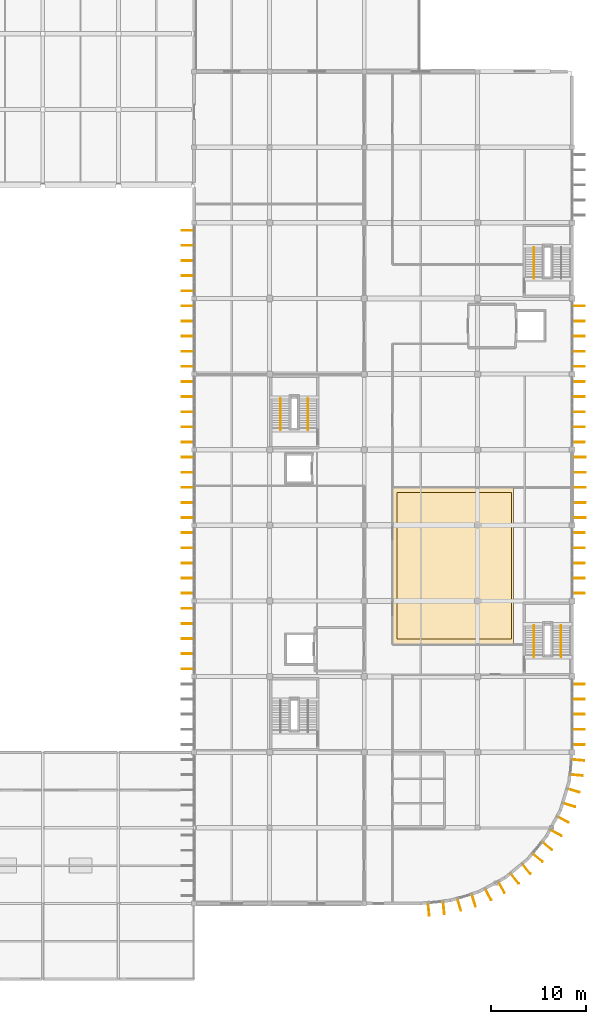
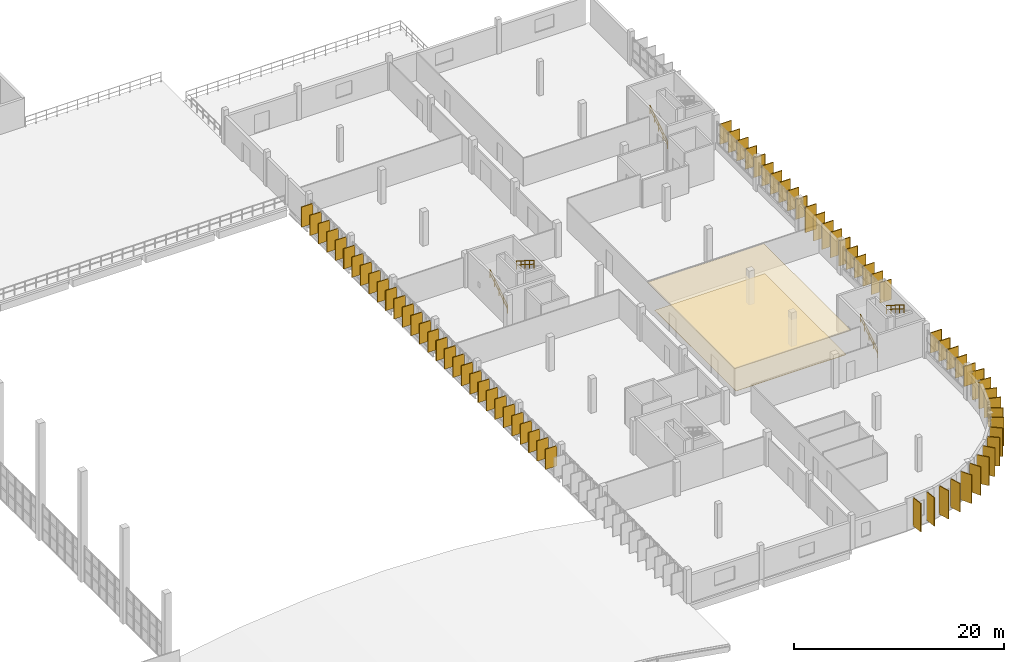
# One storey, part 65 of 66: 73 coverings, 71 shading devices, 5 railings.
"""IFC4 building model written with IfcOpenShell, lengths in metres."""

from ifc_helpers import new_model, si_unit, direction, frame, origin, origin_2d, place, context, subcontext, project, spatial, polyline, rectangle, circle, outline, extrude, material, layer, layer_set, type_object, element, save


model = new_model("IFC4")

# Units and contexts
model_context = context("Model", 3, precision=1e-05, world=origin(), true_north=direction((0.0, 1.0)))
body_context = subcontext(model_context, "Body", "Model", "MODEL_VIEW")
ifc_project = project(units=[si_unit("LENGTHUNIT", "METRE"), si_unit("AREAUNIT", "SQUARE_METRE"), si_unit("VOLUMEUNIT", "CUBIC_METRE"), si_unit("PLANEANGLEUNIT", "RADIAN"), si_unit("MASSUNIT", "GRAM", prefix="KILO")], contexts=[model_context])

# Site, building, storey
site_placement = place(None, origin())
site = spatial("IfcSite", under=ifc_project, at=site_placement, CompositionType="ELEMENT")
building_placement = place(site_placement, origin())
building = spatial("IfcBuilding", under=site, at=building_placement, Name="Drelvana Railside Aquatics Centre", CompositionType="ELEMENT")
storey_placement = place(building_placement, frame((0.0, 0.0, 10.199951171875)))
storey = spatial("IfcBuildingStorey", under=building, at=storey_placement, Name="L02", CompositionType="ELEMENT", Elevation=10.199951171875)

# Coverings
ifc_material_1 = material(Name="Moisture-resistant perforated acoustic timber ceiling", Category="wood")
ifc_layer_1 = layer(ifc_material_1, 0.034912109375, Name="Moisture-resistant perforated acoustic timber ceiling")
ifc_layer_set_1 = layer_set([ifc_layer_1], Name="Moisture-resistant perforated acoustic timber ceiling")
covering_type_1 = type_object("IfcCoveringType", Name="COV-CEIL-ACOUSTIC", PredefinedType="CEILING", material=ifc_layer_set_1)
covering_1_placement = place(storey_placement, frame((0.0, 0.0, 3.10009765625)))
element("IfcCovering", 1, at=covering_1_placement, inside=storey, type_object=covering_type_1, Name="Thermal Wellness Spa cedar acoustic ceiling", PredefinedType="CEILING", context=body_context, shape_type="SweptSolid", body=[
    extrude(outline(polyline([(165.0, 35.39990234375), (177.800048828125, 35.39990234375), (177.800048828125, 52.0), (165.0, 52.0), (165.0, 35.39990234375)])), origin(), (0.0, 0.0, 1.0), 0.034912109375),
])
ifc_material_2 = material(Name="Bronze-anodised extruded aluminium 6063-T6", Category="aluminium")
covering_type_2 = type_object("IfcCoveringType", Name="COV-FIN-ALU", PredefinedType="CLADDING", material=ifc_material_2)
for number, where, z_axis, x_axis, name in (
    (2, (143.330078125, 32.800048828125, 0.85009765625), (0.0, 0.0, 1.0), (0.0, 1.0, 0.0), "Vertical aluminium fin cladding CF-0571"),
    (3, (143.330078125, 34.39990234375, 0.85009765625), (0.0, 0.0, 1.0), (0.0, 1.0, 0.0), "Vertical aluminium fin cladding CF-0572"),
    (4, (143.330078125, 36.0, 0.85009765625), (0.0, 0.0, 1.0), (0.0, 1.0, 0.0), "Vertical aluminium fin cladding CF-0573"),
    (5, (143.330078125, 37.60009765625, 0.85009765625), (0.0, 0.0, 1.0), (0.0, 1.0, 0.0), "Vertical aluminium fin cladding CF-0574"),
    (6, (143.330078125, 39.199951171875, 0.85009765625), (0.0, 0.0, 1.0), (0.0, 1.0, 0.0), "Vertical aluminium fin cladding CF-0575"),
    (7, (143.330078125, 40.800048828125, 0.85009765625), (0.0, 0.0, 1.0), (0.0, 1.0, 0.0), "Vertical aluminium fin cladding CF-0591"),
    (8, (143.330078125, 42.39990234375, 0.85009765625), (0.0, 0.0, 1.0), (0.0, 1.0, 0.0), "Vertical aluminium fin cladding CF-0592"),
    (9, (143.330078125, 44.0, 0.85009765625), (0.0, 0.0, 1.0), (0.0, 1.0, 0.0), "Vertical aluminium fin cladding CF-0593"),
    (10, (143.330078125, 45.60009765625, 0.85009765625), (0.0, 0.0, 1.0), (0.0, 1.0, 0.0), "Vertical aluminium fin cladding CF-0594"),
    (11, (143.330078125, 47.199951171875, 0.85009765625), (0.0, 0.0, 1.0), (0.0, 1.0, 0.0), "Vertical aluminium fin cladding CF-0595"),
    (12, (143.330078125, 48.800048828125, 0.85009765625), (0.0, 0.0, 1.0), (0.0, 1.0, 0.0), "Vertical aluminium fin cladding CF-0611"),
    (13, (143.330078125, 50.39990234375, 0.85009765625), (0.0, 0.0, 1.0), (0.0, 1.0, 0.0), "Vertical aluminium fin cladding CF-0612"),
    (14, (143.330078125, 52.0, 0.85009765625), (0.0, 0.0, 1.0), (0.0, 1.0, 0.0), "Vertical aluminium fin cladding CF-0613"),
    (15, (143.330078125, 53.60009765625, 0.85009765625), (0.0, 0.0, 1.0), (0.0, 1.0, 0.0), "Vertical aluminium fin cladding CF-0614"),
    (16, (143.330078125, 55.199951171875, 0.85009765625), (0.0, 0.0, 1.0), (0.0, 1.0, 0.0), "Vertical aluminium fin cladding CF-0615"),
    (17, (143.330078125, 56.800048828125, 0.85009765625), (0.0, 0.0, 1.0), (0.0, 1.0, 0.0), "Vertical aluminium fin cladding CF-0626"),
    (18, (143.330078125, 58.39990234375, 0.85009765625), (0.0, 0.0, 1.0), (0.0, 1.0, 0.0), "Vertical aluminium fin cladding CF-0627"),
    (19, (143.330078125, 60.0, 0.85009765625), (0.0, 0.0, 1.0), (0.0, 1.0, 0.0), "Vertical aluminium fin cladding CF-0628"),
    (20, (143.330078125, 61.60009765625, 0.85009765625), (0.0, 0.0, 1.0), (0.0, 1.0, 0.0), "Vertical aluminium fin cladding CF-0629"),
    (21, (143.330078125, 63.199951171875, 0.85009765625), (0.0, 0.0, 1.0), (0.0, 1.0, 0.0), "Vertical aluminium fin cladding CF-0630"),
    (22, (143.330078125, 64.800048828125, 0.85009765625), (0.0, 0.0, 1.0), (0.0, 1.0, 0.0), "Vertical aluminium fin cladding CF-0646"),
    (23, (143.330078125, 66.39990234375, 0.85009765625), (0.0, 0.0, 1.0), (0.0, 1.0, 0.0), "Vertical aluminium fin cladding CF-0647"),
    (24, (143.330078125, 68.0, 0.85009765625), (0.0, 0.0, 1.0), (0.0, 1.0, 0.0), "Vertical aluminium fin cladding CF-0648"),
    (25, (143.330078125, 69.60009765625, 0.85009765625), (0.0, 0.0, 1.0), (0.0, 1.0, 0.0), "Vertical aluminium fin cladding CF-0649"),
    (26, (143.330078125, 71.199951171875, 0.85009765625), (0.0, 0.0, 1.0), (0.0, 1.0, 0.0), "Vertical aluminium fin cladding CF-0650"),
    (27, (143.330078125, 72.800048828125, 0.85009765625), (0.0, 0.0, 1.0), (0.0, 1.0, 0.0), "Vertical aluminium fin cladding CF-0666"),
    (28, (143.330078125, 74.39990234375, 0.85009765625), (0.0, 0.0, 1.0), (0.0, 1.0, 0.0), "Vertical aluminium fin cladding CF-0667"),
    (29, (143.330078125, 76.0, 0.85009765625), (0.0, 0.0, 1.0), (0.0, 1.0, 0.0), "Vertical aluminium fin cladding CF-0668"),
    (30, (143.330078125, 77.60009765625, 0.85009765625), (0.0, 0.0, 1.0), (0.0, 1.0, 0.0), "Vertical aluminium fin cladding CF-0669"),
    (31, (143.330078125, 79.199951171875, 0.85009765625), (0.0, 0.0, 1.0), (0.0, 1.0, 0.0), "Vertical aluminium fin cladding CF-0670"),
    (32, (184.669921875, 24.800048828125, 0.85009765625), (0.0, 0.0, 1.0), (0.0, -1.0, 0.0), "Vertical aluminium fin cladding CF-0686"),
    (33, (184.669921875, 26.39990234375, 0.85009765625), (0.0, 0.0, 1.0), (0.0, -1.0, 0.0), "Vertical aluminium fin cladding CF-0687"),
    (34, (184.669921875, 28.0, 0.85009765625), (0.0, 0.0, 1.0), (0.0, -1.0, 0.0), "Vertical aluminium fin cladding CF-0688"),
    (35, (184.669921875, 29.60009765625, 0.85009765625), (0.0, 0.0, 1.0), (0.0, -1.0, 0.0), "Vertical aluminium fin cladding CF-0689"),
    (36, (184.669921875, 31.199951171875, 0.85009765625), (0.0, 0.0, 1.0), (0.0, -1.0, 0.0), "Vertical aluminium fin cladding CF-0690"),
    (37, (184.669921875, 40.800048828125, 0.85009765625), (0.0, 0.0, 1.0), (0.0, -1.0, 0.0), "Vertical aluminium fin cladding CF-0711"),
    (38, (184.669921875, 42.39990234375, 0.85009765625), (0.0, 0.0, 1.0), (0.0, -1.0, 0.0), "Vertical aluminium fin cladding CF-0712"),
    (39, (184.669921875, 44.0, 0.85009765625), (0.0, 0.0, 1.0), (0.0, -1.0, 0.0), "Vertical aluminium fin cladding CF-0713"),
    (40, (184.669921875, 45.60009765625, 0.85009765625), (0.0, 0.0, 1.0), (0.0, -1.0, 0.0), "Vertical aluminium fin cladding CF-0714"),
    (41, (184.669921875, 47.199951171875, 0.85009765625), (0.0, 0.0, 1.0), (0.0, -1.0, 0.0), "Vertical aluminium fin cladding CF-0715"),
):
    element("IfcCovering", number, at=place(storey_placement, frame(where, z_axis=z_axis, x_axis=x_axis)), inside=storey, type_object=covering_type_2, Name=name, PredefinedType="CLADDING", context=body_context, shape_type="SweptSolid", body=[
        extrude(rectangle(XDim=0.0849609375, YDim=1.25, at=origin_2d()), origin(), (0.0, 0.0, 1.0), 2.35009765625),
    ])
for number, where, z_axis, x_axis, name in (
    (42, (184.77490234375, 48.800048828125, 0.25), (0.0, 0.0, 1.0), (0.0, -1.0, 0.0), "Vertical aluminium fin cladding CF-0736"),
    (43, (184.77490234375, 50.39990234375, 0.25), (0.0, 0.0, 1.0), (0.0, -1.0, 0.0), "Vertical aluminium fin cladding CF-0737"),
    (44, (184.77490234375, 52.0, 0.25), (0.0, 0.0, 1.0), (0.0, -1.0, 0.0), "Vertical aluminium fin cladding CF-0738"),
    (45, (184.77490234375, 53.60009765625, 0.25), (0.0, 0.0, 1.0), (0.0, -1.0, 0.0), "Vertical aluminium fin cladding CF-0739"),
    (46, (184.77490234375, 55.199951171875, 0.25), (0.0, 0.0, 1.0), (0.0, -1.0, 0.0), "Vertical aluminium fin cladding CF-0740"),
):
    element("IfcCovering", number, at=place(storey_placement, frame(where, z_axis=z_axis, x_axis=x_axis)), inside=storey, type_object=covering_type_2, Name=name, PredefinedType="CLADDING", context=body_context, shape_type="SweptSolid", body=[
        extrude(rectangle(XDim=0.0849609375, YDim=1.25, at=origin_2d()), origin(), (0.0, 0.0, 1.0), 2.949951171875),
    ])
for number, where, z_axis, x_axis, name in (
    (47, (184.669921875, 56.800048828125, 0.85009765625), (0.0, 0.0, 1.0), (0.0, -1.0, 0.0), "Vertical aluminium fin cladding CF-0761"),
    (48, (184.669921875, 58.39990234375, 0.85009765625), (0.0, 0.0, 1.0), (0.0, -1.0, 0.0), "Vertical aluminium fin cladding CF-0762"),
    (49, (184.669921875, 60.0, 0.85009765625), (0.0, 0.0, 1.0), (0.0, -1.0, 0.0), "Vertical aluminium fin cladding CF-0763"),
    (50, (184.669921875, 61.60009765625, 0.85009765625), (0.0, 0.0, 1.0), (0.0, -1.0, 0.0), "Vertical aluminium fin cladding CF-0764"),
    (51, (184.669921875, 63.199951171875, 0.85009765625), (0.0, 0.0, 1.0), (0.0, -1.0, 0.0), "Vertical aluminium fin cladding CF-0765"),
    (52, (184.669921875, 64.800048828125, 0.85009765625), (0.0, 0.0, 1.0), (0.0, -1.0, 0.0), "Vertical aluminium fin cladding CF-0786"),
    (53, (184.669921875, 66.39990234375, 0.85009765625), (0.0, 0.0, 1.0), (0.0, -1.0, 0.0), "Vertical aluminium fin cladding CF-0787"),
    (54, (184.669921875, 68.0, 0.85009765625), (0.0, 0.0, 1.0), (0.0, -1.0, 0.0), "Vertical aluminium fin cladding CF-0788"),
    (55, (184.669921875, 69.60009765625, 0.85009765625), (0.0, 0.0, 1.0), (0.0, -1.0, 0.0), "Vertical aluminium fin cladding CF-0789"),
    (56, (184.669921875, 71.199951171875, 0.85009765625), (0.0, 0.0, 1.0), (0.0, -1.0, 0.0), "Vertical aluminium fin cladding CF-0790"),
):
    element("IfcCovering", number, at=place(storey_placement, frame(where, z_axis=z_axis, x_axis=x_axis)), inside=storey, type_object=covering_type_2, Name=name, PredefinedType="CLADDING", context=body_context, shape_type="SweptSolid", body=[
        extrude(rectangle(XDim=0.0849609375, YDim=1.25, at=origin_2d()), origin(), (0.0, 0.0, 1.0), 2.35009765625),
    ])
for number, where, z_axis, x_axis, name in (
    (57, (168.836669921875, 7.34375, 0.25), (0.0, 0.0, 1.0), (-0.995184726672, -0.09801714033, 0.0), "Vertical aluminium fin cladding CF-0825"),
    (58, (170.428955078125, 7.500732421875, 0.25), (0.0, 0.0, 1.0), (-0.995184726672, -0.09801714033, 0.0), "Vertical aluminium fin cladding CF-0826"),
    (59, (172.070068359375, 7.8271484375, 0.25), (0.0, 0.0, 1.0), (-0.956940335732, -0.290284677254, 0.0), "Vertical aluminium fin cladding CF-0831"),
    (60, (173.60107421875, 8.29150390625, 0.25), (0.0, 0.0, 1.0), (-0.956940335732, -0.290284677254, 0.0), "Vertical aluminium fin cladding CF-0832"),
    (61, (175.14697265625, 8.931884765625, 0.25), (0.0, 0.0, 1.0), (-0.881921264348, -0.471396736826, 0.0), "Vertical aluminium fin cladding CF-0837"),
    (62, (176.55810546875, 9.68603515625, 0.25), (0.0, 0.0, 1.0), (-0.881921264348, -0.471396736826, 0.0), "Vertical aluminium fin cladding CF-0838"),
    (63, (177.94921875, 10.61572265625, 0.25), (0.0, 0.0, 1.0), (-0.773010453363, -0.634393284164, 0.0), "Vertical aluminium fin cladding CF-0843"),
    (64, (179.18603515625, 11.630615234375, 0.25), (0.0, 0.0, 1.0), (-0.773010453363, -0.634393284164, 0.0), "Vertical aluminium fin cladding CF-0844"),
    (65, (180.369384765625, 12.81396484375, 0.25), (0.0, 0.0, 1.0), (-0.634393284164, -0.773010453363, 0.0), "Vertical aluminium fin cladding CF-0849"),
    (66, (181.38427734375, 14.05078125, 0.25), (0.0, 0.0, 1.0), (-0.634393284164, -0.773010453363, 0.0), "Vertical aluminium fin cladding CF-0850"),
    (67, (182.31396484375, 15.44189453125, 0.25), (0.0, 0.0, 1.0), (-0.471396736826, -0.881921264348, 0.0), "Vertical aluminium fin cladding CF-0855"),
    (68, (183.068115234375, 16.85302734375, 0.25), (0.0, 0.0, 1.0), (-0.471396736826, -0.881921264348, 0.0), "Vertical aluminium fin cladding CF-0856"),
    (69, (183.70849609375, 18.39892578125, 0.25), (0.0, 0.0, 1.0), (-0.290284677254, -0.956940335732, 0.0), "Vertical aluminium fin cladding CF-0861"),
    (70, (184.1728515625, 19.929931640625, 0.25), (0.0, 0.0, 1.0), (-0.290284677254, -0.956940335732, 0.0), "Vertical aluminium fin cladding CF-0862"),
    (71, (184.499267578125, 21.571044921875, 0.25), (0.0, 0.0, 1.0), (-0.09801714033, -0.995184726672, 0.0), "Vertical aluminium fin cladding CF-0867"),
    (72, (184.65625, 23.163330078125, 0.25), (0.0, 0.0, 1.0), (-0.09801714033, -0.995184726672, 0.0), "Vertical aluminium fin cladding CF-0868"),
):
    element("IfcCovering", number, at=place(storey_placement, frame(where, z_axis=z_axis, x_axis=x_axis)), inside=storey, type_object=covering_type_2, Name=name, PredefinedType="CLADDING", context=body_context, shape_type="SweptSolid", body=[
        extrude(rectangle(XDim=0.0849609375, YDim=1.25, at=origin_2d()), origin(), (0.0, 0.0, 1.0), 3.300048828125),
    ])
ifc_material_3 = material(Name="Slip-resistant vitrified ceramic pool deck tile", Category="masonry")
ifc_layer_2 = layer(ifc_material_3, 0.02490234375, Name="Slip-resistant vitrified ceramic pool deck tile")
ifc_layer_set_2 = layer_set([ifc_layer_2], Name="Slip-resistant vitrified ceramic pool deck tile")
covering_type_3 = type_object("IfcCoveringType", Name="COV-FLOR-ANTISLIP", PredefinedType="FLOORING", material=ifc_layer_set_2)
covering_2_placement = place(storey_placement, origin())
element("IfcCovering", 73, at=covering_2_placement, inside=storey, type_object=covering_type_3, Name="Thermal Wellness Spa natural stone flooring", PredefinedType="FLOORING", context=body_context, shape_type="SweptSolid", body=[
    extrude(outline(polyline([(165.5, 36.0), (177.60009765625, 36.0), (177.60009765625, 51.5), (165.5, 51.5), (165.5, 36.0)])), origin(), (0.0, 0.0, 1.0), 0.025146484375),
])

# Railings
ifc_material_4 = material(Name="Brushed stainless steel stair pitch handrail", Category="steel")
railing_type = type_object("IfcRailingType", Name="RAL-HANDRAIL-950", PredefinedType="HANDRAIL", material=ifc_material_4)
for number, where, name in (
    (74, (179.949951171875, 74.090087890625, 0.0), "Stair ST-07 flight 1 handrail (L02)"),
    (75, (153.159912109375, 58.090087890625, 0.0), "Stair ST-08 flight 1 handrail (L02)"),
):
    element("IfcRailing", number, at=place(storey_placement, frame(where)), inside=storey, type_object=railing_type, Name=name, PredefinedType="HANDRAIL", context=body_context, shape_type="SweptSolid", body=[
        extrude(circle(Radius=0.02392578125, at=origin_2d()), frame((0.0, 0.0, 0.92578125), z_axis=(0.0, 0.844745949813, 0.53516752543), x_axis=(-1.0, 0.0, 0.0)), (0.0, 0.0, 1.0), 3.924072265625),
        extrude(circle(Radius=0.02392578125, at=origin_2d()), frame((0.0, 0.0, 0.47509765625), z_axis=(0.0, 0.844745949813, 0.53516752543), x_axis=(-1.0, 0.0, 0.0)), (0.0, 0.0, 1.0), 3.924072265625),
        extrude(circle(Radius=0.02099609375, at=origin_2d()), origin(), (0.0, 0.0, 1.0), 0.90185546875),
        extrude(circle(Radius=0.02099609375, at=origin_2d()), frame((0.0, 0.82861328125, 0.52490234375)), (0.0, 0.0, 1.0), 0.90185546875),
        extrude(circle(Radius=0.02099609375, at=origin_2d()), frame((0.0, 1.657470703125, 1.050048828125)), (0.0, 0.0, 1.0), 0.90185546875),
        extrude(circle(Radius=0.02099609375, at=origin_2d()), frame((0.0, 2.486328125, 1.5751953125)), (0.0, 0.0, 1.0), 0.90185546875),
        extrude(circle(Radius=0.02099609375, at=origin_2d()), frame((0.0, 3.31494140625, 2.10009765625)), (0.0, 0.0, 1.0), 0.90185546875),
    ])
railing_1_placement = place(storey_placement, frame((156.0400390625, 61.405029296875, 2.10009765625)))
element("IfcRailing", 76, at=railing_1_placement, inside=storey, type_object=railing_type, Name="Stair ST-08 flight 2 handrail (L02)", PredefinedType="HANDRAIL", context=body_context, shape_type="SweptSolid", body=[
    extrude(circle(Radius=0.02392578125, at=origin_2d()), frame((0.0, 0.0, 0.92578125), z_axis=(0.0, -0.844774075467, 0.535123127345), x_axis=(1.0, 0.0, 0.0)), (0.0, 0.0, 1.0), 3.924072265625),
    extrude(circle(Radius=0.02392578125, at=origin_2d()), frame((0.0, 0.0, 0.47509765625), z_axis=(0.0, -0.844774075467, 0.535123127345), x_axis=(1.0, 0.0, 0.0)), (0.0, 0.0, 1.0), 3.924072265625),
    extrude(circle(Radius=0.02099609375, at=origin_2d()), origin(), (0.0, 0.0, 1.0), 0.90185546875),
    extrude(circle(Radius=0.02099609375, at=origin_2d()), frame((0.0, -0.82861328125, 0.52490234375)), (0.0, 0.0, 1.0), 0.90185546875),
    extrude(circle(Radius=0.02099609375, at=origin_2d()), frame((0.0, -1.657470703125, 1.0498046875)), (0.0, 0.0, 1.0), 0.90185546875),
    extrude(circle(Radius=0.02099609375, at=origin_2d()), frame((0.0, -2.486328125, 1.574951171875)), (0.0, 0.0, 1.0), 0.90185546875),
    extrude(circle(Radius=0.02099609375, at=origin_2d()), frame((0.0, -3.31494140625, 2.099853515625)), (0.0, 0.0, 1.0), 0.90185546875),
])
railing_2_placement = place(storey_placement, frame((179.9599609375, 34.090087890625, 0.0)))
element("IfcRailing", 77, at=railing_2_placement, inside=storey, type_object=railing_type, Name="Stair ST-09 flight 1 handrail (L02)", PredefinedType="HANDRAIL", context=body_context, shape_type="SweptSolid", body=[
    extrude(circle(Radius=0.02392578125, at=origin_2d()), frame((0.0, 0.0, 0.92578125), z_axis=(0.0, 0.844745949813, 0.53516752543), x_axis=(-1.0, 0.0, 0.0)), (0.0, 0.0, 1.0), 3.924072265625),
    extrude(circle(Radius=0.02392578125, at=origin_2d()), frame((0.0, 0.0, 0.47509765625), z_axis=(0.0, 0.844745949813, 0.53516752543), x_axis=(-1.0, 0.0, 0.0)), (0.0, 0.0, 1.0), 3.924072265625),
    extrude(circle(Radius=0.02099609375, at=origin_2d()), origin(), (0.0, 0.0, 1.0), 0.90185546875),
    extrude(circle(Radius=0.02099609375, at=origin_2d()), frame((0.0, 0.82861328125, 0.52490234375)), (0.0, 0.0, 1.0), 0.90185546875),
    extrude(circle(Radius=0.02099609375, at=origin_2d()), frame((0.0, 1.657470703125, 1.050048828125)), (0.0, 0.0, 1.0), 0.90185546875),
    extrude(circle(Radius=0.02099609375, at=origin_2d()), frame((0.0, 2.486328125, 1.5751953125)), (0.0, 0.0, 1.0), 0.90185546875),
    extrude(circle(Radius=0.02099609375, at=origin_2d()), frame((0.0, 3.31494140625, 2.10009765625)), (0.0, 0.0, 1.0), 0.90185546875),
])
railing_3_placement = place(storey_placement, frame((182.840087890625, 37.405029296875, 2.10009765625)))
element("IfcRailing", 78, at=railing_3_placement, inside=storey, type_object=railing_type, Name="Stair ST-09 flight 2 handrail (L02)", PredefinedType="HANDRAIL", context=body_context, shape_type="SweptSolid", body=[
    extrude(circle(Radius=0.02392578125, at=origin_2d()), frame((0.0, 0.0, 0.92578125), z_axis=(0.0, -0.844774075467, 0.535123127345), x_axis=(1.0, 0.0, 0.0)), (0.0, 0.0, 1.0), 3.924072265625),
    extrude(circle(Radius=0.02392578125, at=origin_2d()), frame((0.0, 0.0, 0.47509765625), z_axis=(0.0, -0.844774075467, 0.535123127345), x_axis=(1.0, 0.0, 0.0)), (0.0, 0.0, 1.0), 3.924072265625),
    extrude(circle(Radius=0.02099609375, at=origin_2d()), origin(), (0.0, 0.0, 1.0), 0.90185546875),
    extrude(circle(Radius=0.02099609375, at=origin_2d()), frame((0.0, -0.82861328125, 0.52490234375)), (0.0, 0.0, 1.0), 0.90185546875),
    extrude(circle(Radius=0.02099609375, at=origin_2d()), frame((0.0, -1.657470703125, 1.0498046875)), (0.0, 0.0, 1.0), 0.90185546875),
    extrude(circle(Radius=0.02099609375, at=origin_2d()), frame((0.0, -2.486328125, 1.574951171875)), (0.0, 0.0, 1.0), 0.90185546875),
    extrude(circle(Radius=0.02099609375, at=origin_2d()), frame((0.0, -3.31494140625, 2.099853515625)), (0.0, 0.0, 1.0), 0.90185546875),
])

# Shading devices
shading_device_type = type_object("IfcShadingDeviceType", Name="SHD-FIN-1250", PredefinedType="USERDEFINED", material=ifc_material_2)
for number, where, z_axis, x_axis, name in (
    (79, (143.31005859375, 32.800048828125, 0.85009765625), (0.0, 0.0, 1.0), (-1.0, 0.0, 0.0), "Vertical bronze shading fin FN-0578"),
    (80, (143.31005859375, 34.39990234375, 0.85009765625), (0.0, 0.0, 1.0), (-1.0, 0.0, 0.0), "Vertical bronze shading fin FN-0579"),
    (81, (143.31005859375, 36.0, 0.85009765625), (0.0, 0.0, 1.0), (-1.0, 0.0, 0.0), "Vertical bronze shading fin FN-0580"),
    (82, (143.31005859375, 37.60009765625, 0.85009765625), (0.0, 0.0, 1.0), (-1.0, 0.0, 0.0), "Vertical bronze shading fin FN-0581"),
    (83, (143.31005859375, 39.199951171875, 0.85009765625), (0.0, 0.0, 1.0), (-1.0, 0.0, 0.0), "Vertical bronze shading fin FN-0582"),
    (84, (143.31005859375, 40.800048828125, 0.85009765625), (0.0, 0.0, 1.0), (-1.0, 0.0, 0.0), "Vertical bronze shading fin FN-0598"),
    (85, (143.31005859375, 42.39990234375, 0.85009765625), (0.0, 0.0, 1.0), (-1.0, 0.0, 0.0), "Vertical bronze shading fin FN-0599"),
    (86, (143.31005859375, 44.0, 0.85009765625), (0.0, 0.0, 1.0), (-1.0, 0.0, 0.0), "Vertical bronze shading fin FN-0600"),
    (87, (143.31005859375, 45.60009765625, 0.85009765625), (0.0, 0.0, 1.0), (-1.0, 0.0, 0.0), "Vertical bronze shading fin FN-0601"),
    (88, (143.31005859375, 47.199951171875, 0.85009765625), (0.0, 0.0, 1.0), (-1.0, 0.0, 0.0), "Vertical bronze shading fin FN-0602"),
    (89, (143.31005859375, 48.800048828125, 0.85009765625), (0.0, 0.0, 1.0), (-1.0, 0.0, 0.0), "Vertical bronze shading fin FN-0618"),
    (90, (143.31005859375, 50.39990234375, 0.85009765625), (0.0, 0.0, 1.0), (-1.0, 0.0, 0.0), "Vertical bronze shading fin FN-0619"),
    (91, (143.31005859375, 52.0, 0.85009765625), (0.0, 0.0, 1.0), (-1.0, 0.0, 0.0), "Vertical bronze shading fin FN-0620"),
    (92, (143.31005859375, 53.60009765625, 0.85009765625), (0.0, 0.0, 1.0), (-1.0, 0.0, 0.0), "Vertical bronze shading fin FN-0621"),
    (93, (143.31005859375, 55.199951171875, 0.85009765625), (0.0, 0.0, 1.0), (-1.0, 0.0, 0.0), "Vertical bronze shading fin FN-0622"),
    (94, (143.31005859375, 56.800048828125, 0.85009765625), (0.0, 0.0, 1.0), (-1.0, 0.0, 0.0), "Vertical bronze shading fin FN-0633"),
    (95, (143.31005859375, 58.39990234375, 0.85009765625), (0.0, 0.0, 1.0), (-1.0, 0.0, 0.0), "Vertical bronze shading fin FN-0634"),
    (96, (143.31005859375, 60.0, 0.85009765625), (0.0, 0.0, 1.0), (-1.0, 0.0, 0.0), "Vertical bronze shading fin FN-0635"),
    (97, (143.31005859375, 61.60009765625, 0.85009765625), (0.0, 0.0, 1.0), (-1.0, 0.0, 0.0), "Vertical bronze shading fin FN-0636"),
    (98, (143.31005859375, 63.199951171875, 0.85009765625), (0.0, 0.0, 1.0), (-1.0, 0.0, 0.0), "Vertical bronze shading fin FN-0637"),
    (99, (143.31005859375, 64.800048828125, 0.85009765625), (0.0, 0.0, 1.0), (-1.0, 0.0, 0.0), "Vertical bronze shading fin FN-0653"),
    (100, (143.31005859375, 66.39990234375, 0.85009765625), (0.0, 0.0, 1.0), (-1.0, 0.0, 0.0), "Vertical bronze shading fin FN-0654"),
    (101, (143.31005859375, 68.0, 0.85009765625), (0.0, 0.0, 1.0), (-1.0, 0.0, 0.0), "Vertical bronze shading fin FN-0655"),
    (102, (143.31005859375, 69.60009765625, 0.85009765625), (0.0, 0.0, 1.0), (-1.0, 0.0, 0.0), "Vertical bronze shading fin FN-0656"),
    (103, (143.31005859375, 71.199951171875, 0.85009765625), (0.0, 0.0, 1.0), (-1.0, 0.0, 0.0), "Vertical bronze shading fin FN-0657"),
    (104, (143.31005859375, 72.800048828125, 0.85009765625), (0.0, 0.0, 1.0), (-1.0, 0.0, 0.0), "Vertical bronze shading fin FN-0673"),
    (105, (143.31005859375, 74.39990234375, 0.85009765625), (0.0, 0.0, 1.0), (-1.0, 0.0, 0.0), "Vertical bronze shading fin FN-0674"),
    (106, (143.31005859375, 76.0, 0.85009765625), (0.0, 0.0, 1.0), (-1.0, 0.0, 0.0), "Vertical bronze shading fin FN-0675"),
    (107, (143.31005859375, 77.60009765625, 0.85009765625), (0.0, 0.0, 1.0), (-1.0, 0.0, 0.0), "Vertical bronze shading fin FN-0676"),
    (108, (143.31005859375, 79.199951171875, 0.85009765625), (0.0, 0.0, 1.0), (-1.0, 0.0, 0.0), "Vertical bronze shading fin FN-0677"),
    (109, (184.68994140625, 24.800048828125, 0.85009765625), (0.0, 0.0, 1.0), (1.0, 0.0, 0.0), "Vertical bronze shading fin FN-0693"),
    (110, (184.68994140625, 26.39990234375, 0.85009765625), (0.0, 0.0, 1.0), (1.0, 0.0, 0.0), "Vertical bronze shading fin FN-0694"),
    (111, (184.68994140625, 28.0, 0.85009765625), (0.0, 0.0, 1.0), (1.0, 0.0, 0.0), "Vertical bronze shading fin FN-0695"),
    (112, (184.68994140625, 29.60009765625, 0.85009765625), (0.0, 0.0, 1.0), (1.0, 0.0, 0.0), "Vertical bronze shading fin FN-0696"),
    (113, (184.68994140625, 31.199951171875, 0.85009765625), (0.0, 0.0, 1.0), (1.0, 0.0, 0.0), "Vertical bronze shading fin FN-0697"),
    (114, (184.68994140625, 40.800048828125, 0.85009765625), (0.0, 0.0, 1.0), (1.0, 0.0, 0.0), "Vertical bronze shading fin FN-0718"),
    (115, (184.68994140625, 42.39990234375, 0.85009765625), (0.0, 0.0, 1.0), (1.0, 0.0, 0.0), "Vertical bronze shading fin FN-0719"),
    (116, (184.68994140625, 44.0, 0.85009765625), (0.0, 0.0, 1.0), (1.0, 0.0, 0.0), "Vertical bronze shading fin FN-0720"),
    (117, (184.68994140625, 45.60009765625, 0.85009765625), (0.0, 0.0, 1.0), (1.0, 0.0, 0.0), "Vertical bronze shading fin FN-0721"),
    (118, (184.68994140625, 47.199951171875, 0.85009765625), (0.0, 0.0, 1.0), (1.0, 0.0, 0.0), "Vertical bronze shading fin FN-0722"),
):
    element("IfcShadingDevice", number, at=place(storey_placement, frame(where, z_axis=z_axis, x_axis=x_axis)), inside=storey, type_object=shading_device_type, Name=name, ObjectType="FIN", PredefinedType="USERDEFINED", context=body_context, shape_type="SweptSolid", body=[
        extrude(rectangle(XDim=1.25, YDim=0.06494140625, at=origin_2d()), origin(), (0.0, 0.0, 1.0), 2.35009765625),
    ])
for number, where, z_axis, x_axis, name in (
    (119, (184.794921875, 48.800048828125, 0.25), (0.0, 0.0, 1.0), (1.0, 0.0, 0.0), "Vertical bronze shading fin FN-0743"),
    (120, (184.794921875, 50.39990234375, 0.25), (0.0, 0.0, 1.0), (1.0, 0.0, 0.0), "Vertical bronze shading fin FN-0744"),
    (121, (184.794921875, 52.0, 0.25), (0.0, 0.0, 1.0), (1.0, 0.0, 0.0), "Vertical bronze shading fin FN-0745"),
    (122, (184.794921875, 53.60009765625, 0.25), (0.0, 0.0, 1.0), (1.0, 0.0, 0.0), "Vertical bronze shading fin FN-0746"),
    (123, (184.794921875, 55.199951171875, 0.25), (0.0, 0.0, 1.0), (1.0, 0.0, 0.0), "Vertical bronze shading fin FN-0747"),
):
    element("IfcShadingDevice", number, at=place(storey_placement, frame(where, z_axis=z_axis, x_axis=x_axis)), inside=storey, type_object=shading_device_type, Name=name, ObjectType="FIN", PredefinedType="USERDEFINED", context=body_context, shape_type="SweptSolid", body=[
        extrude(rectangle(XDim=1.25, YDim=0.06494140625, at=origin_2d()), origin(), (0.0, 0.0, 1.0), 2.949951171875),
    ])
for number, where, z_axis, x_axis, name in (
    (124, (184.68994140625, 56.800048828125, 0.85009765625), (0.0, 0.0, 1.0), (1.0, 0.0, 0.0), "Vertical bronze shading fin FN-0768"),
    (125, (184.68994140625, 58.39990234375, 0.85009765625), (0.0, 0.0, 1.0), (1.0, 0.0, 0.0), "Vertical bronze shading fin FN-0769"),
    (126, (184.68994140625, 60.0, 0.85009765625), (0.0, 0.0, 1.0), (1.0, 0.0, 0.0), "Vertical bronze shading fin FN-0770"),
    (127, (184.68994140625, 61.60009765625, 0.85009765625), (0.0, 0.0, 1.0), (1.0, 0.0, 0.0), "Vertical bronze shading fin FN-0771"),
    (128, (184.68994140625, 63.199951171875, 0.85009765625), (0.0, 0.0, 1.0), (1.0, 0.0, 0.0), "Vertical bronze shading fin FN-0772"),
    (129, (184.68994140625, 64.800048828125, 0.85009765625), (0.0, 0.0, 1.0), (1.0, 0.0, 0.0), "Vertical bronze shading fin FN-0793"),
    (130, (184.68994140625, 66.39990234375, 0.85009765625), (0.0, 0.0, 1.0), (1.0, 0.0, 0.0), "Vertical bronze shading fin FN-0794"),
    (131, (184.68994140625, 68.0, 0.85009765625), (0.0, 0.0, 1.0), (1.0, 0.0, 0.0), "Vertical bronze shading fin FN-0795"),
    (132, (184.68994140625, 69.60009765625, 0.85009765625), (0.0, 0.0, 1.0), (1.0, 0.0, 0.0), "Vertical bronze shading fin FN-0796"),
    (133, (184.68994140625, 71.199951171875, 0.85009765625), (0.0, 0.0, 1.0), (1.0, 0.0, 0.0), "Vertical bronze shading fin FN-0797"),
):
    element("IfcShadingDevice", number, at=place(storey_placement, frame(where, z_axis=z_axis, x_axis=x_axis)), inside=storey, type_object=shading_device_type, Name=name, ObjectType="FIN", PredefinedType="USERDEFINED", context=body_context, shape_type="SweptSolid", body=[
        extrude(rectangle(XDim=1.25, YDim=0.06494140625, at=origin_2d()), origin(), (0.0, 0.0, 1.0), 2.35009765625),
    ])
for number, where, z_axis, x_axis, name in (
    (134, (168.838623046875, 7.323974609375, 0.25), (0.0, 0.0, 1.0), (0.09801714033, -0.995184726672, 0.0), "Vertical bronze shading fin FN-0832"),
    (135, (170.430908203125, 7.480712890625, 0.25), (0.0, 0.0, 1.0), (0.09801714033, -0.995184726672, 0.0), "Vertical bronze shading fin FN-0833"),
    (136, (172.07568359375, 7.80810546875, 0.25), (0.0, 0.0, 1.0), (0.290284677254, -0.956940335732, 0.0), "Vertical bronze shading fin FN-0838"),
    (137, (173.60693359375, 8.2724609375, 0.25), (0.0, 0.0, 1.0), (0.290284677254, -0.956940335732, 0.0), "Vertical bronze shading fin FN-0839"),
    (138, (175.156494140625, 8.914306640625, 0.25), (0.0, 0.0, 1.0), (0.471396736826, -0.881921264348, 0.0), "Vertical bronze shading fin FN-0844"),
    (139, (176.5673828125, 9.66845703125, 0.25), (0.0, 0.0, 1.0), (0.471396736826, -0.881921264348, 0.0), "Vertical bronze shading fin FN-0845"),
    (140, (177.9619140625, 10.600341796875, 0.25), (0.0, 0.0, 1.0), (0.634393284164, -0.773010453363, 0.0), "Vertical bronze shading fin FN-0850"),
    (141, (179.19873046875, 11.615234375, 0.25), (0.0, 0.0, 1.0), (0.634393284164, -0.773010453363, 0.0), "Vertical bronze shading fin FN-0851"),
    (142, (180.384765625, 12.80126953125, 0.25), (0.0, 0.0, 1.0), (0.773010453363, -0.634393284164, 0.0), "Vertical bronze shading fin FN-0856"),
    (143, (181.399658203125, 14.0380859375, 0.25), (0.0, 0.0, 1.0), (0.773010453363, -0.634393284164, 0.0), "Vertical bronze shading fin FN-0857"),
    (144, (182.33154296875, 15.4326171875, 0.25), (0.0, 0.0, 1.0), (0.881921264348, -0.471396736826, 0.0), "Vertical bronze shading fin FN-0862"),
    (145, (183.085693359375, 16.843505859375, 0.25), (0.0, 0.0, 1.0), (0.881921264348, -0.471396736826, 0.0), "Vertical bronze shading fin FN-0863"),
    (146, (183.7275390625, 18.39306640625, 0.25), (0.0, 0.0, 1.0), (0.956940335732, -0.290284677254, 0.0), "Vertical bronze shading fin FN-0868"),
    (147, (184.19189453125, 19.92431640625, 0.25), (0.0, 0.0, 1.0), (0.956940335732, -0.290284677254, 0.0), "Vertical bronze shading fin FN-0869"),
    (148, (184.519287109375, 21.569091796875, 0.25), (0.0, 0.0, 1.0), (0.995184726672, -0.09801714033, 0.0), "Vertical bronze shading fin FN-0874"),
    (149, (184.676025390625, 23.161376953125, 0.25), (0.0, 0.0, 1.0), (0.995184726672, -0.09801714033, 0.0), "Vertical bronze shading fin FN-0875"),
):
    element("IfcShadingDevice", number, at=place(storey_placement, frame(where, z_axis=z_axis, x_axis=x_axis)), inside=storey, type_object=shading_device_type, Name=name, ObjectType="FIN", PredefinedType="USERDEFINED", context=body_context, shape_type="SweptSolid", body=[
        extrude(rectangle(XDim=1.25, YDim=0.06494140625, at=origin_2d()), origin(), (0.0, 0.0, 1.0), 3.300048828125),
    ])

save(model, "model.ifc")
